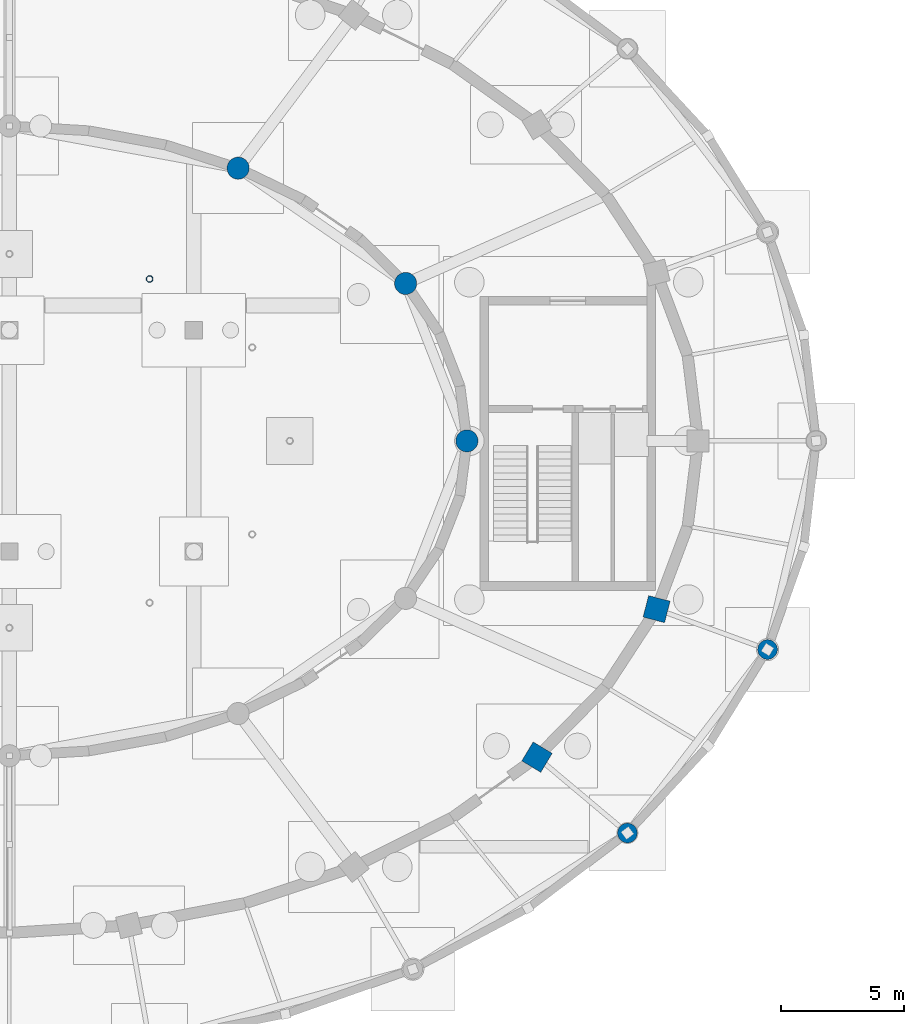
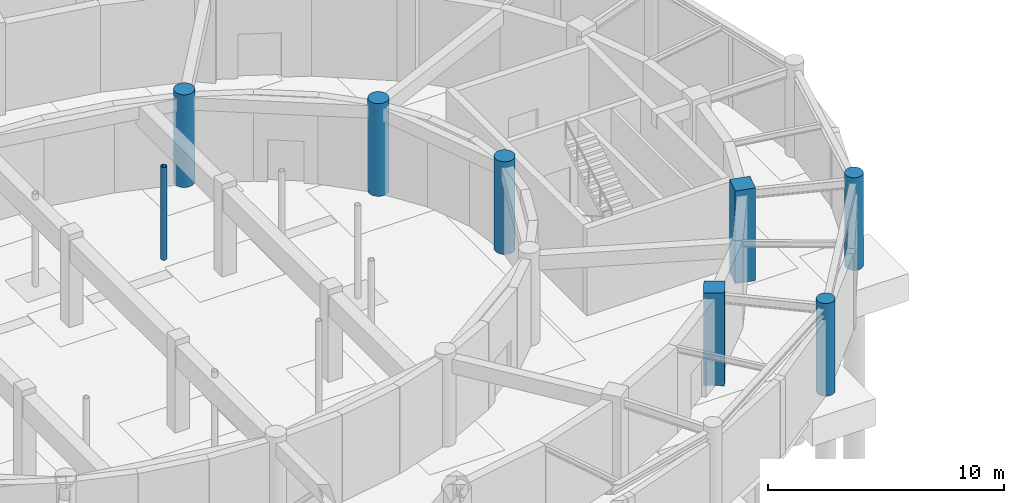
# One storey, part 9 of 42: 8 columns.
"""IFC4 building model written with IfcOpenShell, lengths in metres."""

from ifc_helpers import new_model, si_unit, direction, frame, origin, origin_2d, place, context, subcontext, project, spatial, rectangle, circle, hollow_circle, extrude, material, material_profile, profile_set, type_object, element, save


model = new_model("IFC4")

# Units and contexts
model_context = context("Model", 3, precision=1e-05, world=origin(), true_north=direction((0.0, 1.0)))
body_context = subcontext(model_context, "Body", "Model", "MODEL_VIEW")
ifc_project = project(units=[si_unit("LENGTHUNIT", "METRE"), si_unit("AREAUNIT", "SQUARE_METRE"), si_unit("VOLUMEUNIT", "CUBIC_METRE"), si_unit("PLANEANGLEUNIT", "RADIAN"), si_unit("MASSUNIT", "GRAM", prefix="KILO")], contexts=[model_context])

# Site, building, storey
site_placement = place(None, origin())
site = spatial("IfcSite", under=ifc_project, at=site_placement, CompositionType="ELEMENT")
building_placement = place(site_placement, origin())
building = spatial("IfcBuilding", under=site, at=building_placement, Name="Tarnveldt Headland Concert Hall", CompositionType="ELEMENT")
storey_placement = place(building_placement, frame((0.0, 0.0, -4.800048828125)))
storey = spatial("IfcBuildingStorey", under=building, at=storey_placement, Name="B1", CompositionType="ELEMENT", Elevation=-4.800048828125)

# Columns
ifc_material_1 = material(Name="Concrete C40/50", Category="concrete")
ifc_material_profile_1 = material_profile(ifc_material_1, rectangle(XDim=0.89990234375, YDim=0.89990234375, at=origin_2d()), Name="RC 900x900", Category="concrete")
ifc_profile_set_1 = profile_set([ifc_material_profile_1], Name="Concrete C40/50")
column_type_1 = type_object("IfcColumnType", Name="CC-900", PredefinedType="COLUMN", material=ifc_profile_set_1)
for number, where, z_axis, x_axis, name in (
    (1, (104.94921875, 41.644287109375, 0.0), (0.0, 0.0, 1.0), (0.85770617722, -0.514140169175, 0.0), "Column V2DC17 B1"),
    (2, (109.811279296875, 47.65966796875, 0.0), (0.0, 0.0, 1.0), (0.967841021032, -0.251562632376, 0.0), "Column V2DC18 B1"),
):
    element("IfcColumn", number, at=place(storey_placement, frame(where, z_axis=z_axis, x_axis=x_axis)), inside=storey, type_object=column_type_1, Name=name, PredefinedType="COLUMN", context=body_context, shape_type="SweptSolid", body=[
        extrude(rectangle(XDim=0.89990234375, YDim=0.89990234375, at=origin_2d()), origin(), (0.0, 0.0, 1.0), 4.800048828125),
    ])
ifc_material_profile_2 = material_profile(ifc_material_1, circle(Radius=0.39990234375, at=origin_2d()), Name="RC D800", Category="concrete")
ifc_profile_set_2 = profile_set([ifc_material_profile_2], Name="Concrete C40/50")
column_type_2 = type_object("IfcColumnType", Name="DC-800", PredefinedType="COLUMN", material=ifc_profile_set_2)
for number, where, z_axis, x_axis, name in (
    (3, (108.626220703125, 38.558837890625, 0.0), (0.0, 0.0, 1.0), (0.84442143206, -0.535679423796, 0.0), "Column V1C17 B1"),
    (4, (114.322021484375, 46.017822265625, 0.0), (0.0, 0.0, 1.0), (0.964141737836, -0.265387847052, 0.0), "Column V1C18 B1"),
):
    element("IfcColumn", number, at=place(storey_placement, frame(where, z_axis=z_axis, x_axis=x_axis)), inside=storey, type_object=column_type_2, Name=name, PredefinedType="COLUMN", context=body_context, shape_type="SweptSolid", body=[
        extrude(circle(Radius=0.39990234375, at=origin_2d()), origin(), (0.0, 0.0, 1.0), 4.800048828125),
    ])
ifc_material_profile_3 = material_profile(ifc_material_1, circle(Radius=0.449951171875, at=origin_2d()), Name="RC D900", Category="concrete")
ifc_profile_set_3 = profile_set([ifc_material_profile_3], Name="Concrete C40/50")
column_type_3 = type_object("IfcColumnType", Name="DC-900", PredefinedType="COLUMN", material=ifc_profile_set_3)
for number, where, z_axis, x_axis, name in (
    (5, (102.10009765625, 54.5, 0.0), (0.0, 0.0, 1.0), (1.0, 0.0, 0.0), "Column V2IC01 B1"),
    (6, (99.608154296875, 60.89990234375, 0.0), (0.0, 0.0, 1.0), (0.929326043111, 0.369260213935, 0.0), "Column V2IC02 B1"),
    (7, (92.800048828125, 65.585205078125, 0.0), (0.0, 0.0, 1.0), (0.642787609687, 0.766044443119, 0.0), "Column V2IC03 B1"),
):
    element("IfcColumn", number, at=place(storey_placement, frame(where, z_axis=z_axis, x_axis=x_axis)), inside=storey, type_object=column_type_3, Name=name, PredefinedType="COLUMN", context=body_context, shape_type="SweptSolid", body=[
        extrude(circle(Radius=0.449951171875, at=origin_2d()), origin(), (0.0, 0.0, 1.0), 4.800048828125),
    ])
ifc_material_2 = material(Name="Steel S355", Category="steel")
ifc_material_profile_4 = material_profile(ifc_material_2, hollow_circle(Radius=0.136474609375, WallThickness=0.01611328125, at=origin_2d()), Name="CHS 273x16", Category="steel")
ifc_profile_set_4 = profile_set([ifc_material_profile_4], Name="Steel S355")
column_type_4 = type_object("IfcColumnType", Name="SC-CHS273", PredefinedType="COLUMN", material=ifc_profile_set_4)
column_placement = place(storey_placement, frame((89.199951171875, 61.081787109375, 0.0), z_axis=(0.0, 0.0, 1.0), x_axis=(1.0, 0.0, 0.0)))
element("IfcColumn", 8, at=column_placement, inside=storey, type_object=column_type_4, Name="Tier ring column 3 B1", PredefinedType="COLUMN", context=body_context, shape_type="SweptSolid", body=[
    extrude(hollow_circle(Radius=0.136474609375, WallThickness=0.01611328125, at=origin_2d()), origin(), (0.0, 0.0, 1.0), 4.800048828125),
])

save(model, "model.ifc")
